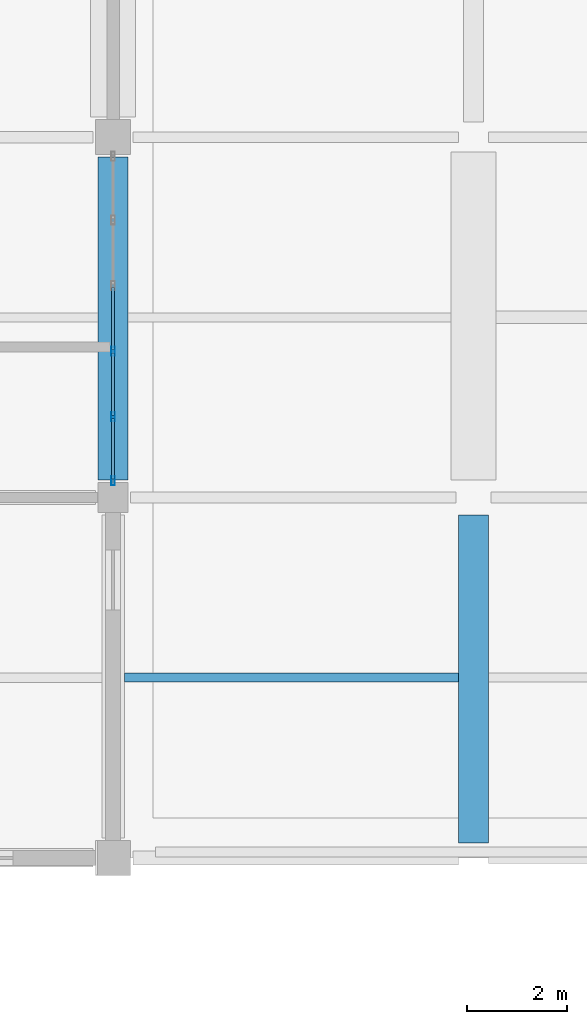
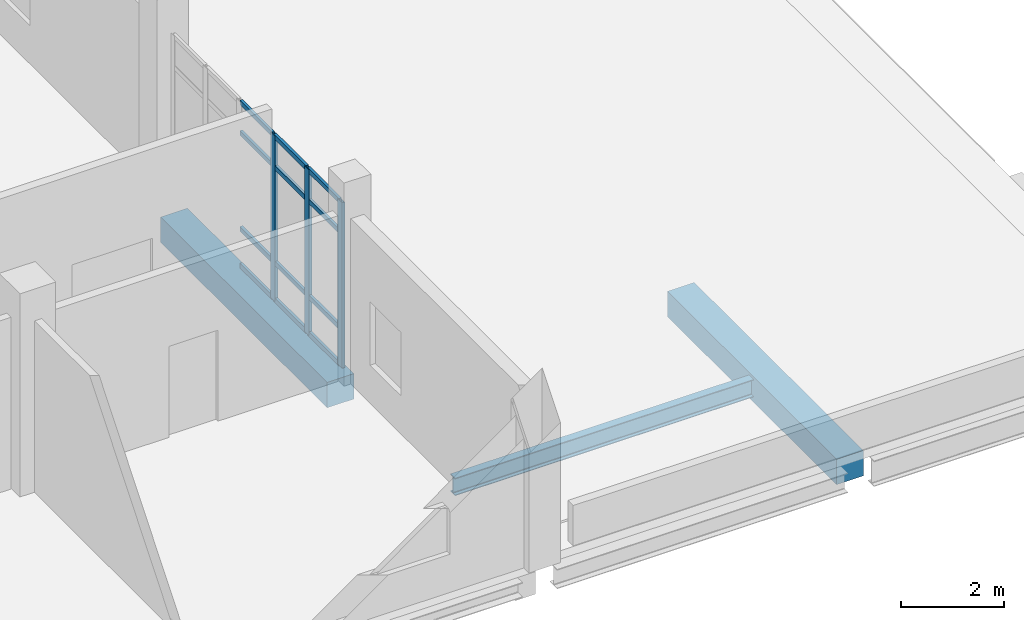
# One storey, part 112 of 186: 15 members, 3 beams, 1 element without a shape of its own.
"""IFC4 building model written with IfcOpenShell, lengths in metres."""

from ifc_helpers import new_model, si_unit, direction, frame, origin, origin_2d, place, context, subcontext, project, spatial, rectangle, hollow_rectangle, i_section, extrude, material, layer, layer_set, material_profile, profile_set, type_object, element, aggregate, save


model = new_model("IFC4")

# Units and contexts
model_context = context("Model", 3, precision=1e-05, world=origin(), true_north=direction((0.0, 1.0)))
body_context = subcontext(model_context, "Body", "Model", "MODEL_VIEW")
ifc_project = project(units=[si_unit("LENGTHUNIT", "METRE"), si_unit("AREAUNIT", "SQUARE_METRE"), si_unit("VOLUMEUNIT", "CUBIC_METRE"), si_unit("PLANEANGLEUNIT", "RADIAN"), si_unit("MASSUNIT", "GRAM", prefix="KILO")], contexts=[model_context])

# Site, building, storey
site_placement = place(None, origin())
site = spatial("IfcSite", under=ifc_project, at=site_placement, CompositionType="ELEMENT")
building_placement = place(site_placement, origin())
building = spatial("IfcBuilding", under=site, at=building_placement, Name="Calvrana Isthmian Art Gallery", CompositionType="ELEMENT")
storey_placement = place(building_placement, frame((0.0, 0.0, 5.39990234375)))
storey = spatial("IfcBuildingStorey", under=building, at=storey_placement, Name="L01", CompositionType="ELEMENT", Elevation=5.39990234375)

# Beams
ifc_material_1 = material(Name="Steel ASTM A992 Gr 50", Category="steel")
ifc_material_profile_1 = material_profile(ifc_material_1, i_section(OverallWidth=0.179931640625, OverallDepth=0.4140625, WebThickness=0.009765625, FlangeThickness=0.01611328125, FilletRadius=0.01806640625, at=origin_2d()), Name="W16X50")
ifc_profile_set_1 = profile_set([ifc_material_profile_1], Name="Steel ASTM A992 Gr 50")
beam_type_1 = type_object("IfcBeamType", Name="BM-J-W16X50", PredefinedType="JOIST", material=ifc_profile_set_1)
beam_1_placement = place(storey_placement, frame((149.02490234375, 80.39990234375, -0.511962890625), z_axis=(1.0, 0.0, 0.0), x_axis=(0.0, 1.0, 0.0)))
element("IfcBeam", 1, at=beam_1_placement, inside=storey, type_object=beam_type_1, Name="Composite joist L01 bay 19-10", PredefinedType="JOIST", context=body_context, shape_type="SweptSolid", body=[
    extrude(i_section(OverallWidth=0.179931640625, OverallDepth=0.4140625, WebThickness=0.009765625, FlangeThickness=0.01611328125, FilletRadius=0.01806640625, at=origin_2d()), origin(), (0.0, 0.0, 1.0), 6.675048828125),
])
ifc_material_2 = material(Name="Concrete C40/50", Category="concrete")
ifc_material_profile_2 = material_profile(ifc_material_2, rectangle(XDim=0.60009765625, YDim=0.60009765625, at=origin_2d()), Name="RC600X600")
ifc_profile_set_2 = profile_set([ifc_material_profile_2], Name="Concrete C40/50")
beam_type_2 = type_object("IfcBeamType", Name="BM-RC-600X600", PredefinedType="BEAM", material=ifc_profile_set_2)
beam_2_placement = place(storey_placement, frame((148.800048828125, 84.35009765625, -0.60498046875), z_axis=(0.0, 1.0, 0.0), x_axis=(-1.0, 0.0, 0.0)))
element("IfcBeam", 2, at=beam_2_placement, inside=storey, type_object=beam_type_2, Name="Girder Y L01 20/L-M", PredefinedType="BEAM", context=body_context, shape_type="SweptSolid", body=[
    extrude(rectangle(XDim=0.60009765625, YDim=0.60009765625, at=origin_2d()), origin(), (0.0, 0.0, 1.0), 6.449951171875),
])
beam_3_placement = place(storey_placement, frame((156.0, 77.10009765625, -0.544921875), z_axis=(0.0, 1.0, 0.0), x_axis=(-1.0, 0.0, 0.0)))
element("IfcBeam", 3, at=beam_3_placement, inside=storey, type_object=beam_type_2, Name="Girder Y L01 21/K-L", PredefinedType="BEAM", context=body_context, shape_type="SweptSolid", body=[
    extrude(rectangle(XDim=0.60009765625, YDim=0.60009765625, at=origin_2d()), origin(), (0.0, 0.0, 1.0), 6.5498046875),
])

# Curtain wall, members
ifc_material_3 = material(Name="Anodized bronze aluminium 6063-T6", Category="aluminium")
ifc_layer = layer(ifc_material_3, 0.179931640625, Name="Anodized bronze aluminium 6063-T6")
ifc_layer_set = layer_set([ifc_layer], Name="Anodized bronze aluminium 6063-T6")
curtain_wall_type = type_object("IfcCurtainWallType", Name="CW-UNIT-065X39", PredefinedType="USERDEFINED", material=ifc_layer_set)
curtain_wall_placement = place(storey_placement, origin())
curtain_wall = element("IfcCurtainWall", 4, at=curtain_wall_placement, inside=storey, type_object=curtain_wall_type, Name="Curtain wall CW-140", ObjectType="UNITISED CURTAIN WALL", PredefinedType="USERDEFINED")
ifc_material_profile_3 = material_profile(ifc_material_3, hollow_rectangle(XDim=0.06494140625, YDim=0.179931640625, WallThickness=0.00439453125, at=origin_2d()), Name="CWM65X180")
ifc_profile_set_3 = profile_set([ifc_material_profile_3], Name="Anodized bronze aluminium 6063-T6")
member_type_1 = type_object("IfcMemberType", Name="CWM-CWM65X180", PredefinedType="MULLION", material=ifc_profile_set_3)
member_1_placement = place(storey_placement, frame((148.800048828125, 86.919921875, 0.0), z_axis=(0.0, 0.0, 1.0), x_axis=(1.0, 0.0, 0.0)))
member_1 = element("IfcMember", 5, at=member_1_placement, type_object=member_type_1, Name="CW-140 mullion 4", PredefinedType="MULLION", context=body_context, shape_type="SweptSolid", body=[
    extrude(hollow_rectangle(XDim=0.06494140625, YDim=0.179931640625, WallThickness=0.00439453125, at=origin_2d()), origin(), (0.0, 0.0, 1.0), 3.9130859375),
])
member_2_placement = place(storey_placement, frame((148.800048828125, 85.610107421875, 0.0), z_axis=(0.0, 0.0, 1.0), x_axis=(1.0, 0.0, 0.0)))
member_2 = element("IfcMember", 6, at=member_2_placement, type_object=member_type_1, Name="CW-140 mullion 5", PredefinedType="MULLION", context=body_context, shape_type="SweptSolid", body=[
    extrude(hollow_rectangle(XDim=0.06494140625, YDim=0.179931640625, WallThickness=0.00439453125, at=origin_2d()), origin(), (0.0, 0.0, 1.0), 3.9130859375),
])
member_3_placement = place(storey_placement, frame((148.800048828125, 84.33251953125, 0.0), z_axis=(0.0, 0.0, 1.0), x_axis=(1.0, 0.0, 0.0)))
member_3 = element("IfcMember", 7, at=member_3_placement, type_object=member_type_1, Name="CW-140 mullion 6", PredefinedType="MULLION", context=body_context, shape_type="SweptSolid", body=[
    extrude(hollow_rectangle(XDim=0.06494140625, YDim=0.179931640625, WallThickness=0.00439453125, at=origin_2d()), origin(), (0.0, 0.0, 1.0), 3.9130859375),
])
ifc_material_profile_4 = material_profile(ifc_material_3, hollow_rectangle(XDim=0.06005859375, YDim=0.110107421875, WallThickness=0.00341796875, at=origin_2d()), Name="CWT60X110")
ifc_profile_set_4 = profile_set([ifc_material_profile_4], Name="Anodized bronze aluminium 6063-T6")
member_type_2 = type_object("IfcMemberType", Name="CWT-CWT60X110", PredefinedType="USERDEFINED", material=ifc_profile_set_4)
member_4_placement = place(storey_placement, frame((148.800048828125, 88.197509765625, 0.030029296875), z_axis=(0.0, -1.0, 0.0), x_axis=(1.0, 0.0, 0.0)))
member_4 = element("IfcMember", 8, at=member_4_placement, type_object=member_type_2, Name="CW-140 transom 3.1", ObjectType="TRANSOM", PredefinedType="USERDEFINED", context=body_context, shape_type="SweptSolid", body=[
    extrude(hollow_rectangle(XDim=0.06005859375, YDim=0.110107421875, WallThickness=0.00341796875, at=origin_2d()), origin(), (0.0, 0.0, 1.0), 1.2451171875),
])
member_5_placement = place(storey_placement, frame((148.800048828125, 88.197509765625, 0.900146484375), z_axis=(0.0, -1.0, 0.0), x_axis=(1.0, 0.0, 0.0)))
member_5 = element("IfcMember", 9, at=member_5_placement, type_object=member_type_2, Name="CW-140 transom 3.2", ObjectType="TRANSOM", PredefinedType="USERDEFINED", context=body_context, shape_type="SweptSolid", body=[
    extrude(hollow_rectangle(XDim=0.06005859375, YDim=0.110107421875, WallThickness=0.00341796875, at=origin_2d()), origin(), (0.0, 0.0, 1.0), 1.2451171875),
])
member_6_placement = place(storey_placement, frame((148.800048828125, 88.197509765625, 3.1630859375), z_axis=(0.0, -1.0, 0.0), x_axis=(1.0, 0.0, 0.0)))
member_6 = element("IfcMember", 10, at=member_6_placement, type_object=member_type_2, Name="CW-140 transom 3.3", ObjectType="TRANSOM", PredefinedType="USERDEFINED", context=body_context, shape_type="SweptSolid", body=[
    extrude(hollow_rectangle(XDim=0.06005859375, YDim=0.110107421875, WallThickness=0.00341796875, at=origin_2d()), origin(), (0.0, 0.0, 1.0), 1.2451171875),
])
member_7_placement = place(storey_placement, frame((148.800048828125, 88.197509765625, 3.883056640625), z_axis=(0.0, -1.0, 0.0), x_axis=(1.0, 0.0, 0.0)))
member_7 = element("IfcMember", 11, at=member_7_placement, type_object=member_type_2, Name="CW-140 transom 3.4", ObjectType="TRANSOM", PredefinedType="USERDEFINED", context=body_context, shape_type="SweptSolid", body=[
    extrude(hollow_rectangle(XDim=0.06005859375, YDim=0.110107421875, WallThickness=0.00341796875, at=origin_2d()), origin(), (0.0, 0.0, 1.0), 1.2451171875),
])
member_8_placement = place(storey_placement, frame((148.800048828125, 86.887451171875, 0.030029296875), z_axis=(0.0, -1.0, 0.0), x_axis=(1.0, 0.0, 0.0)))
member_8 = element("IfcMember", 12, at=member_8_placement, type_object=member_type_2, Name="CW-140 transom 4.1", ObjectType="TRANSOM", PredefinedType="USERDEFINED", context=body_context, shape_type="SweptSolid", body=[
    extrude(hollow_rectangle(XDim=0.06005859375, YDim=0.110107421875, WallThickness=0.00341796875, at=origin_2d()), origin(), (0.0, 0.0, 1.0), 1.244873046875),
])
member_9_placement = place(storey_placement, frame((148.800048828125, 86.887451171875, 0.900146484375), z_axis=(0.0, -1.0, 0.0), x_axis=(1.0, 0.0, 0.0)))
member_9 = element("IfcMember", 13, at=member_9_placement, type_object=member_type_2, Name="CW-140 transom 4.2", ObjectType="TRANSOM", PredefinedType="USERDEFINED", context=body_context, shape_type="SweptSolid", body=[
    extrude(hollow_rectangle(XDim=0.06005859375, YDim=0.110107421875, WallThickness=0.00341796875, at=origin_2d()), origin(), (0.0, 0.0, 1.0), 1.244873046875),
])
member_10_placement = place(storey_placement, frame((148.800048828125, 86.887451171875, 3.1630859375), z_axis=(0.0, -1.0, 0.0), x_axis=(1.0, 0.0, 0.0)))
member_10 = element("IfcMember", 14, at=member_10_placement, type_object=member_type_2, Name="CW-140 transom 4.3", ObjectType="TRANSOM", PredefinedType="USERDEFINED", context=body_context, shape_type="SweptSolid", body=[
    extrude(hollow_rectangle(XDim=0.06005859375, YDim=0.110107421875, WallThickness=0.00341796875, at=origin_2d()), origin(), (0.0, 0.0, 1.0), 1.244873046875),
])
member_11_placement = place(storey_placement, frame((148.800048828125, 86.887451171875, 3.883056640625), z_axis=(0.0, -1.0, 0.0), x_axis=(1.0, 0.0, 0.0)))
member_11 = element("IfcMember", 15, at=member_11_placement, type_object=member_type_2, Name="CW-140 transom 4.4", ObjectType="TRANSOM", PredefinedType="USERDEFINED", context=body_context, shape_type="SweptSolid", body=[
    extrude(hollow_rectangle(XDim=0.06005859375, YDim=0.110107421875, WallThickness=0.00341796875, at=origin_2d()), origin(), (0.0, 0.0, 1.0), 1.244873046875),
])
member_12_placement = place(storey_placement, frame((148.800048828125, 85.577392578125, 0.030029296875), z_axis=(0.0, -1.0, 0.0), x_axis=(1.0, 0.0, 0.0)))
member_12 = element("IfcMember", 16, at=member_12_placement, type_object=member_type_2, Name="CW-140 transom 5.1", ObjectType="TRANSOM", PredefinedType="USERDEFINED", context=body_context, shape_type="SweptSolid", body=[
    extrude(hollow_rectangle(XDim=0.06005859375, YDim=0.110107421875, WallThickness=0.00341796875, at=origin_2d()), origin(), (0.0, 0.0, 1.0), 1.21240234375),
])
member_13_placement = place(storey_placement, frame((148.800048828125, 85.577392578125, 0.900146484375), z_axis=(0.0, -1.0, 0.0), x_axis=(1.0, 0.0, 0.0)))
member_13 = element("IfcMember", 17, at=member_13_placement, type_object=member_type_2, Name="CW-140 transom 5.2", ObjectType="TRANSOM", PredefinedType="USERDEFINED", context=body_context, shape_type="SweptSolid", body=[
    extrude(hollow_rectangle(XDim=0.06005859375, YDim=0.110107421875, WallThickness=0.00341796875, at=origin_2d()), origin(), (0.0, 0.0, 1.0), 1.21240234375),
])
member_14_placement = place(storey_placement, frame((148.800048828125, 85.577392578125, 3.1630859375), z_axis=(0.0, -1.0, 0.0), x_axis=(1.0, 0.0, 0.0)))
member_14 = element("IfcMember", 18, at=member_14_placement, type_object=member_type_2, Name="CW-140 transom 5.3", ObjectType="TRANSOM", PredefinedType="USERDEFINED", context=body_context, shape_type="SweptSolid", body=[
    extrude(hollow_rectangle(XDim=0.06005859375, YDim=0.110107421875, WallThickness=0.00341796875, at=origin_2d()), origin(), (0.0, 0.0, 1.0), 1.21240234375),
])
member_15_placement = place(storey_placement, frame((148.800048828125, 85.577392578125, 3.883056640625), z_axis=(0.0, -1.0, 0.0), x_axis=(1.0, 0.0, 0.0)))
member_15 = element("IfcMember", 19, at=member_15_placement, type_object=member_type_2, Name="CW-140 transom 5.4", ObjectType="TRANSOM", PredefinedType="USERDEFINED", context=body_context, shape_type="SweptSolid", body=[
    extrude(hollow_rectangle(XDim=0.06005859375, YDim=0.110107421875, WallThickness=0.00341796875, at=origin_2d()), origin(), (0.0, 0.0, 1.0), 1.21240234375),
])
aggregate(curtain_wall, [member_1, member_2, member_3, member_4, member_5, member_6, member_7, member_8, member_9, member_10, member_11, member_12, member_13, member_14, member_15])

save(model, "model.ifc")
